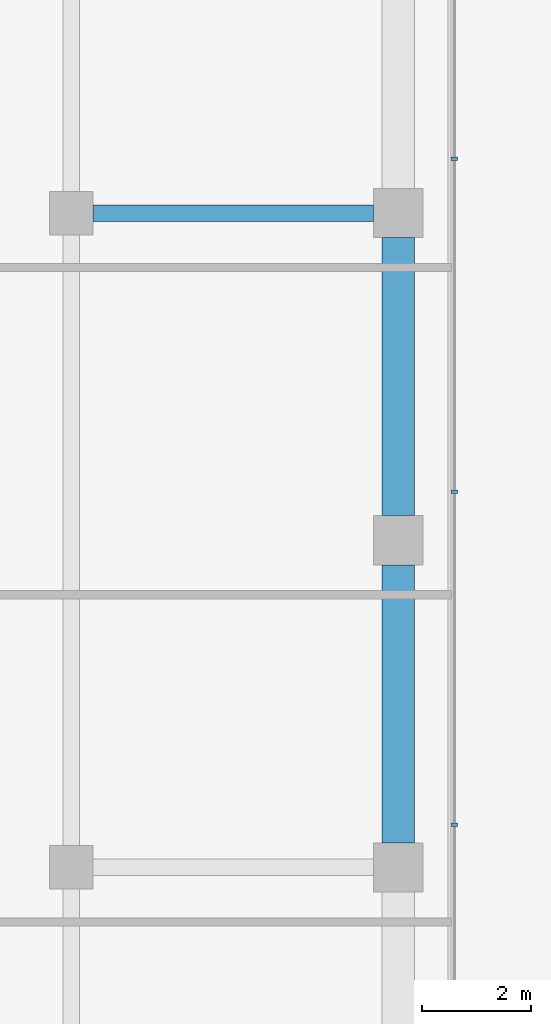
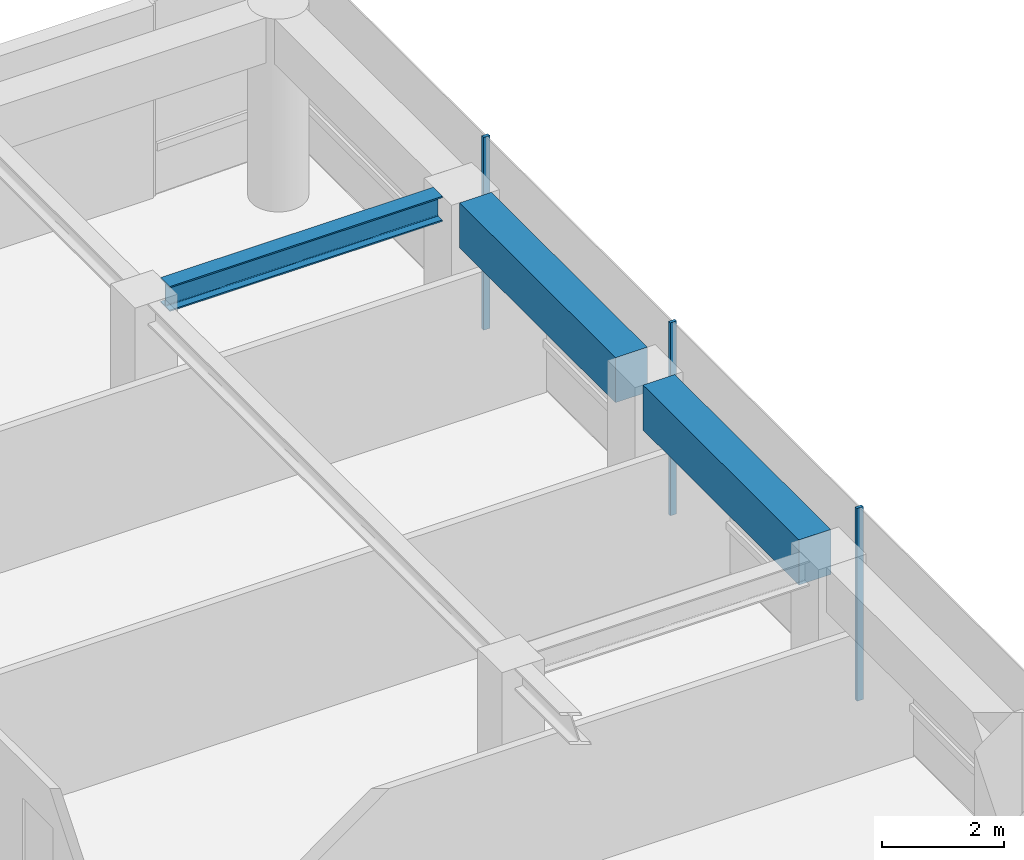
# One storey, part 15 of 23: 3 beams, 3 members, 1 element without a shape of its own.
"""IFC4 building model written with IfcOpenShell, lengths in metres."""

from ifc_helpers import new_model, si_unit, direction, frame, origin, origin_2d, place, context, subcontext, project, spatial, rectangle, i_section, extrude, material, layer, layer_set, material_profile, profile_set, type_object, element, aggregate, save


model = new_model("IFC4")

# Units and contexts
model_context = context("Model", 3, precision=1e-05, world=origin(), true_north=direction((0.0, 1.0)))
body_context = subcontext(model_context, "Body", "Model", "MODEL_VIEW")
ifc_project = project(units=[si_unit("LENGTHUNIT", "METRE"), si_unit("AREAUNIT", "SQUARE_METRE"), si_unit("VOLUMEUNIT", "CUBIC_METRE"), si_unit("PLANEANGLEUNIT", "RADIAN"), si_unit("MASSUNIT", "GRAM", prefix="KILO")], contexts=[model_context])

# Site, building, storey
site_placement = place(None, origin())
site = spatial("IfcSite", under=ifc_project, at=site_placement, CompositionType="ELEMENT")
building_placement = place(site_placement, origin())
building = spatial("IfcBuilding", under=site, at=building_placement, Name="Welwitschia Terrace Campus", CompositionType="ELEMENT")
storey_placement = place(building_placement, frame((0.0, 0.0, 104.60009765625)))
storey = spatial("IfcBuildingStorey", under=building, at=storey_placement, Name="L23", CompositionType="ELEMENT", Elevation=104.60009765625)

# Curtain wall, members
ifc_material_1 = material(Name="Bronze anodised aluminium", Category="aluminium")
ifc_layer = layer(ifc_material_1, 0.1201171875)
ifc_layer_set = layer_set([ifc_layer], Name="Bronze anodised aluminium")
curtain_wall_type = type_object("IfcCurtainWallType", Name="Curtain wall CW2 tower 6000", PredefinedType="NOTDEFINED", material=ifc_layer_set)
curtain_wall_placement = place(storey_placement, origin())
curtain_wall = element("IfcCurtainWall", 1, at=curtain_wall_placement, inside=storey, type_object=curtain_wall_type, Name="CW L23.9.0", PredefinedType="NOTDEFINED")
ifc_material_2 = material(Name="Bronze anodised aluminium", Category="aluminium")
ifc_material_profile_1 = material_profile(ifc_material_2, rectangle(XDim=0.1201171875, YDim=0.06005859375, at=origin_2d()))
ifc_profile_set_1 = profile_set([ifc_material_profile_1], Name="Bronze anodised aluminium")
member_type = type_object("IfcMemberType", Name="Mullion 60x120", PredefinedType="MULLION", material=ifc_profile_set_1)
member_1_placement = place(storey_placement, frame((25.030029296875, 52.7802734375, 0.0), z_axis=(0.0, 0.0, 1.0), x_axis=(-1.0, 0.0, 0.0)))
member_1 = element("IfcMember", 2, at=member_1_placement, type_object=member_type, Name="Mullion L23.9.0.3", PredefinedType="MULLION", context=body_context, shape_type="SweptSolid", body=[
    extrude(rectangle(XDim=0.1201171875, YDim=0.06005859375, at=origin_2d()), origin(), (0.0, 0.0, 1.0), 3.849853515625),
])
member_2_placement = place(storey_placement, frame((25.030029296875, 58.888427734375, 0.0), z_axis=(0.0, 0.0, 1.0), x_axis=(-1.0, 0.0, 0.0)))
member_2 = element("IfcMember", 3, at=member_2_placement, type_object=member_type, Name="Mullion L23.9.0.4", PredefinedType="MULLION", context=body_context, shape_type="SweptSolid", body=[
    extrude(rectangle(XDim=0.1201171875, YDim=0.06005859375, at=origin_2d()), origin(), (0.0, 0.0, 1.0), 3.849853515625),
])
member_3_placement = place(storey_placement, frame((25.030029296875, 64.996337890625, 0.0), z_axis=(0.0, 0.0, 1.0), x_axis=(-1.0, 0.0, 0.0)))
member_3 = element("IfcMember", 4, at=member_3_placement, type_object=member_type, Name="Mullion L23.9.0.5", PredefinedType="MULLION", context=body_context, shape_type="SweptSolid", body=[
    extrude(rectangle(XDim=0.1201171875, YDim=0.06005859375, at=origin_2d()), origin(), (0.0, 0.0, 1.0), 3.849853515625),
])
aggregate(curtain_wall, [member_1, member_2, member_3])

# Beams
ifc_material_3 = material(Name="Steel S355", Category="steel")
ifc_material_profile_2 = material_profile(ifc_material_3, i_section(OverallWidth=0.300048828125, OverallDepth=0.5, WebThickness=0.014404296875, FlangeThickness=0.028076171875, FilletRadius=0.027099609375, at=origin_2d()))
ifc_profile_set_2 = profile_set([ifc_material_profile_2], Name="Steel S355")
beam_type_1 = type_object("IfcBeamType", Name="Primary beam HE 500 B", PredefinedType="BEAM", material=ifc_profile_set_2)
beam_placement = place(storey_placement, frame((23.549560546875, 64.0, 3.599853515625), z_axis=(-1.0, 0.0, 0.0), x_axis=(0.0, -1.0, 0.0)))
element("IfcBeam", 5, at=beam_placement, inside=storey, type_object=beam_type_1, Name="Primary beam PB3", PredefinedType="BEAM", context=body_context, shape_type="SweptSolid", body=[
    extrude(i_section(OverallWidth=0.300048828125, OverallDepth=0.5, WebThickness=0.014404296875, FlangeThickness=0.028076171875, FilletRadius=0.027099609375, at=origin_2d()), origin(), (0.0, 0.0, 1.0), 5.149169921875),
])
ifc_material_4 = material(Name="Concrete C60/75", Category="concrete")
ifc_material_profile_3 = material_profile(ifc_material_4, rectangle(XDim=0.60009765625, YDim=0.89990234375, at=origin_2d()))
ifc_profile_set_3 = profile_set([ifc_material_profile_3], Name="Concrete C60/75")
beam_type_2 = type_object("IfcBeamType", Name="Ring spandrel 600x900", PredefinedType="SPANDREL", material=ifc_profile_set_3)
for number, where, z_axis, x_axis, name in (
    (6, (24.0, 52.450439453125, 3.39990234375), (0.0, 1.0, 0.0), (-1.0, 0.0, 0.0), "Spandrel SP2"),
    (7, (24.0, 58.450439453125, 3.39990234375), (0.0, 1.0, 0.0), (-1.0, 0.0, 0.0), "Spandrel SP2"),
):
    element("IfcBeam", number, at=place(storey_placement, frame(where, z_axis=z_axis, x_axis=x_axis)), inside=storey, type_object=beam_type_2, Name=name, PredefinedType="SPANDREL", context=body_context, shape_type="SweptSolid", body=[
        extrude(rectangle(XDim=0.60009765625, YDim=0.89990234375, at=origin_2d()), origin(), (0.0, 0.0, 1.0), 5.09912109375),
    ])

save(model, "model.ifc")
